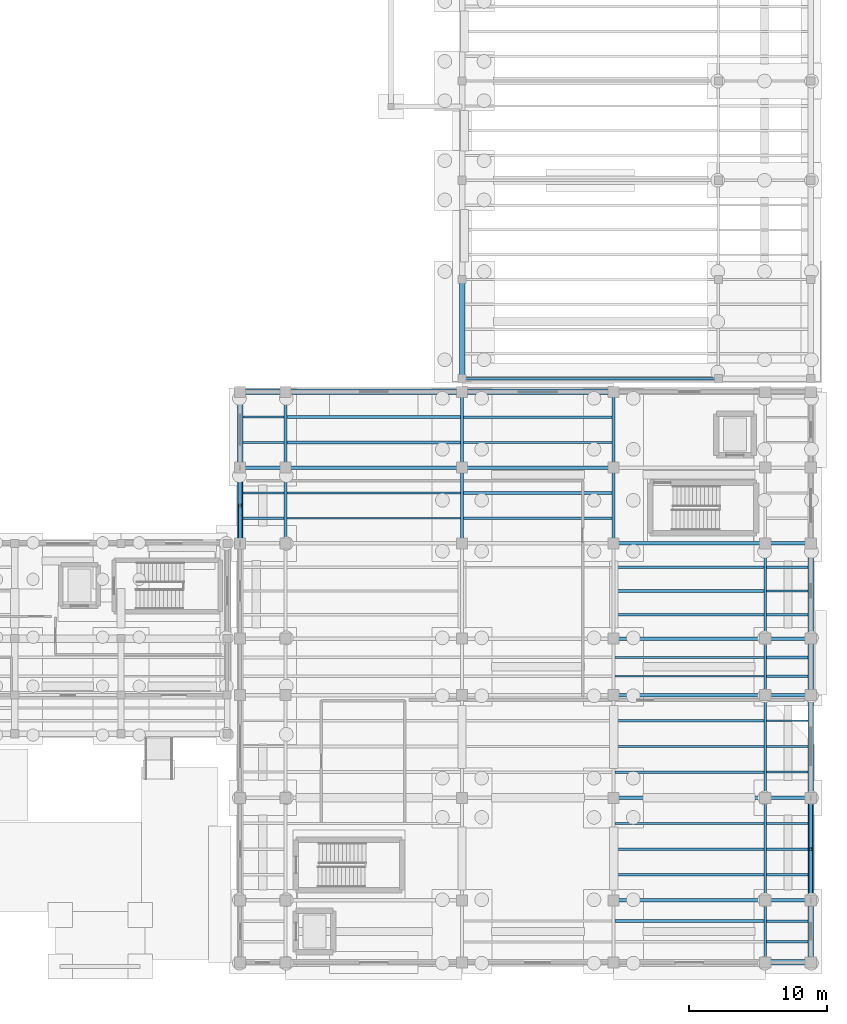
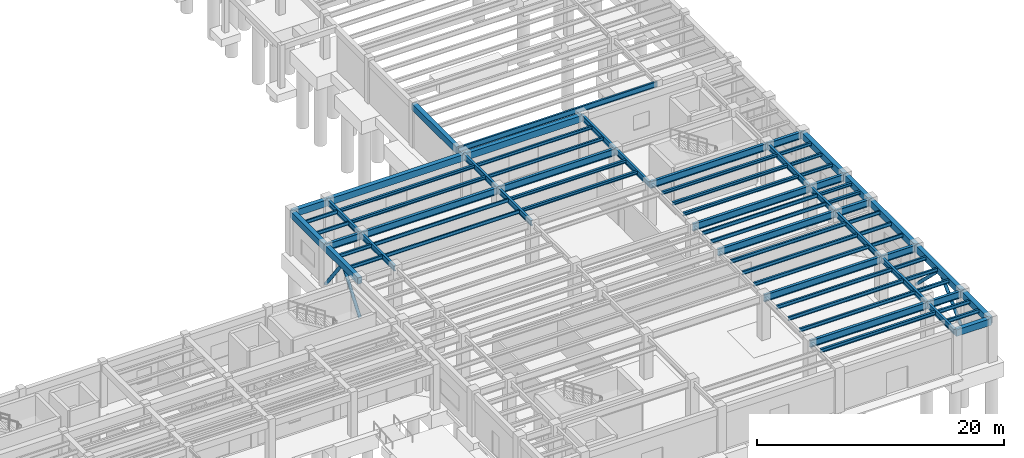
# One storey, part 15 of 41: 74 beams, 4 members.
"""IFC4 building model written with IfcOpenShell, lengths in metres."""

from ifc_helpers import new_model, si_unit, direction, frame, origin, origin_2d, place, context, subcontext, project, spatial, rectangle, hollow_circle, i_section, extrude, material, material_profile, profile_set, type_object, element, save


model = new_model("IFC4")

# Units and contexts
model_context = context("Model", 3, precision=1e-05, world=origin(), true_north=direction((0.0, 1.0)))
body_context = subcontext(model_context, "Body", "Model", "MODEL_VIEW")
ifc_project = project(units=[si_unit("LENGTHUNIT", "METRE"), si_unit("AREAUNIT", "SQUARE_METRE"), si_unit("VOLUMEUNIT", "CUBIC_METRE"), si_unit("PLANEANGLEUNIT", "RADIAN"), si_unit("MASSUNIT", "GRAM", prefix="KILO")], contexts=[model_context])

# Site, building, storey
site_placement = place(None, origin())
site = spatial("IfcSite", under=ifc_project, at=site_placement, CompositionType="ELEMENT")
building_placement = place(site_placement, origin())
building = spatial("IfcBuilding", under=site, at=building_placement, Name="Candilejo Ridge Gondola Terminal", CompositionType="ELEMENT")
storey_placement = place(building_placement, origin())
storey = spatial("IfcBuildingStorey", under=building, at=storey_placement, Name="L00", CompositionType="ELEMENT", Elevation=0.0)

# Beams
ifc_material_1 = material(Name="Steel ASTM A992 Grade 50", Category="steel")
ifc_material_profile_1 = material_profile(ifc_material_1, i_section(OverallWidth=0.2109375, OverallDepth=0.5390625, WebThickness=0.01171875, FlangeThickness=0.018798828125, at=origin_2d()))
ifc_profile_set_1 = profile_set([ifc_material_profile_1], Name="Steel ASTM A992 Grade 50")
beam_type_1 = type_object("IfcBeamType", Name="STR-BM-W530X109", PredefinedType="BEAM", material=ifc_profile_set_1)
for number, where, z_axis, x_axis, name in (
    (1, (137.199951171875, 36.699951171875, 3.945556640625), (0.0, 1.0, 0.0), (-1.0, 0.0, 0.0), "Beam Y V4 L00 Y07-Y08@X22"),
    (2, (137.199951171875, 42.199951171875, 3.945556640625), (0.0, 1.0, 0.0), (-1.0, 0.0, 0.0), "Beam Y V4 L00 Y08-Y09@X22"),
    (3, (150.0, 36.699951171875, 3.945556640625), (0.0, 1.0, 0.0), (-1.0, 0.0, 0.0), "Beam Y V4 L00 Y07-Y08@X23"),
    (4, (150.0, 42.199951171875, 3.945556640625), (0.0, 1.0, 0.0), (-1.0, 0.0, 0.0), "Beam Y V4 L00 Y08-Y09@X23"),
    (5, (161.0, 36.699951171875, 3.945556640625), (0.0, 1.0, 0.0), (-1.0, 0.0, 0.0), "Beam Y V4 L00 Y07-Y08@X24"),
    (6, (161.0, 42.199951171875, 3.945556640625), (0.0, 1.0, 0.0), (-1.0, 0.0, 0.0), "Beam Y V4 L00 Y08-Y09@X24"),
):
    element("IfcBeam", number, at=place(storey_placement, frame(where, z_axis=z_axis, x_axis=x_axis)), inside=storey, type_object=beam_type_1, Name=name, PredefinedType="BEAM", context=body_context, shape_type="SweptSolid", body=[
        extrude(i_section(OverallWidth=0.2109375, OverallDepth=0.5390625, WebThickness=0.01171875, FlangeThickness=0.018798828125, at=origin_2d()), origin(), (0.0, 0.0, 1.0), 5.5),
    ])
beam_1_placement = place(storey_placement, frame((172.0, 6.300048828125, 3.945556640625), z_axis=(0.0, 1.0, 0.0), x_axis=(-1.0, 0.0, 0.0)))
element("IfcBeam", 7, at=beam_1_placement, inside=storey, type_object=beam_type_1, Name="Beam Y V4 L00 Y01-Y02@X26", PredefinedType="BEAM", context=body_context, shape_type="SweptSolid", body=[
    extrude(i_section(OverallWidth=0.2109375, OverallDepth=0.5390625, WebThickness=0.01171875, FlangeThickness=0.018798828125, at=origin_2d()), origin(), (0.0, 0.0, 1.0), 4.5),
])
for number, where, z_axis, x_axis, name in (
    (8, (172.0, 10.800048828125, 3.945556640625), (0.0, 1.0, 0.0), (-1.0, 0.0, 0.0), "Beam Y V4 L00 Y02-Y03@X26"),
    (9, (172.0, 18.25, 3.945556640625), (0.0, 1.0, 0.0), (-1.0, 0.0, 0.0), "Beam Y V4 L00 Y03-Y05@X26"),
):
    element("IfcBeam", number, at=place(storey_placement, frame(where, z_axis=z_axis, x_axis=x_axis)), inside=storey, type_object=beam_type_1, Name=name, PredefinedType="BEAM", context=body_context, shape_type="SweptSolid", body=[
        extrude(i_section(OverallWidth=0.2109375, OverallDepth=0.5390625, WebThickness=0.01171875, FlangeThickness=0.018798828125, at=origin_2d()), origin(), (0.0, 0.0, 1.0), 7.449951171875),
    ])
beam_2_placement = place(storey_placement, frame((172.0, 25.699951171875, 3.945556640625), z_axis=(0.0, 1.0, 0.0), x_axis=(-1.0, 0.0, 0.0)))
element("IfcBeam", 10, at=beam_2_placement, inside=storey, type_object=beam_type_1, Name="Beam Y V4 L00 Y05-Y06@X26", PredefinedType="BEAM", context=body_context, shape_type="SweptSolid", body=[
    extrude(i_section(OverallWidth=0.2109375, OverallDepth=0.5390625, WebThickness=0.01171875, FlangeThickness=0.018798828125, at=origin_2d()), origin(), (0.0, 0.0, 1.0), 4.10009765625),
])
beam_3_placement = place(storey_placement, frame((172.0, 29.800048828125, 3.945556640625), z_axis=(0.0, 1.0, 0.0), x_axis=(-1.0, 0.0, 0.0)))
element("IfcBeam", 11, at=beam_3_placement, inside=storey, type_object=beam_type_1, Name="Beam Y V4 L00 Y06-Y07@X26", PredefinedType="BEAM", context=body_context, shape_type="SweptSolid", body=[
    extrude(i_section(OverallWidth=0.2109375, OverallDepth=0.5390625, WebThickness=0.01171875, FlangeThickness=0.018798828125, at=origin_2d()), origin(), (0.0, 0.0, 1.0), 6.89990234375),
])
ifc_material_2 = material(Name="Steel ASTM A992 Grade 50", Category="steel")
ifc_material_profile_2 = material_profile(ifc_material_2, i_section(OverallWidth=0.166015625, OverallDepth=0.529052734375, WebThickness=0.009765625, FlangeThickness=0.013671875, at=origin_2d()))
ifc_profile_set_2 = profile_set([ifc_material_profile_2], Name="Steel ASTM A992 Grade 50")
beam_type_2 = type_object("IfcBeamType", Name="STR-BM-W530X74", PredefinedType="BEAM", material=ifc_profile_set_2)
beam_4_placement = place(storey_placement, frame((150.0, 48.64990234375, 3.965576171875), z_axis=(1.0, 0.0, 0.0), x_axis=(0.0, 1.0, 0.0)))
element("IfcBeam", 12, at=beam_4_placement, inside=storey, type_object=beam_type_2, Name="Beam X V5 L00 X23-X25@Y10", PredefinedType="BEAM", context=body_context, shape_type="SweptSolid", body=[
    extrude(i_section(OverallWidth=0.166015625, OverallDepth=0.529052734375, WebThickness=0.009765625, FlangeThickness=0.013671875, at=origin_2d()), origin(), (0.0, 0.0, 1.0), 18.60009765625),
])
ifc_material_3 = material(Name="Steel ASTM A992 Grade 50", Category="steel")
ifc_material_profile_3 = material_profile(ifc_material_3, i_section(OverallWidth=0.25390625, OverallDepth=0.68408203125, WebThickness=0.012451171875, FlangeThickness=0.018798828125, at=origin_2d()))
ifc_profile_set_3 = profile_set([ifc_material_profile_3], Name="Steel ASTM A992 Grade 50")
beam_type_3 = type_object("IfcBeamType", Name="STR-BM-W690X140", PredefinedType="BEAM", material=ifc_profile_set_3)
beam_5_placement = place(storey_placement, frame((161.0, 10.800048828125, 3.873046875), z_axis=(1.0, 0.0, 0.0), x_axis=(0.0, 1.0, 0.0)))
element("IfcBeam", 13, at=beam_5_placement, inside=storey, type_object=beam_type_3, Name="Beam X V4 L00 X24-X26@Y02", PredefinedType="BEAM", context=body_context, shape_type="SweptSolid", body=[
    extrude(i_section(OverallWidth=0.25390625, OverallDepth=0.68408203125, WebThickness=0.012451171875, FlangeThickness=0.018798828125, at=origin_2d()), origin(), (0.0, 0.0, 1.0), 11.0),
])
beam_6_placement = place(storey_placement, frame((172.0, 10.800048828125, 3.873046875), z_axis=(1.0, 0.0, 0.0), x_axis=(0.0, 1.0, 0.0)))
element("IfcBeam", 14, at=beam_6_placement, inside=storey, type_object=beam_type_3, Name="Beam X V4 L00 X26-X27@Y02", PredefinedType="BEAM", context=body_context, shape_type="SweptSolid", body=[
    extrude(i_section(OverallWidth=0.25390625, OverallDepth=0.68408203125, WebThickness=0.012451171875, FlangeThickness=0.018798828125, at=origin_2d()), origin(), (0.0, 0.0, 1.0), 3.300048828125),
])
beam_7_placement = place(storey_placement, frame((161.0, 18.25, 3.873046875), z_axis=(1.0, 0.0, 0.0), x_axis=(0.0, 1.0, 0.0)))
element("IfcBeam", 15, at=beam_7_placement, inside=storey, type_object=beam_type_3, Name="Beam X V4 L00 X24-X26@Y03", PredefinedType="BEAM", context=body_context, shape_type="SweptSolid", body=[
    extrude(i_section(OverallWidth=0.25390625, OverallDepth=0.68408203125, WebThickness=0.012451171875, FlangeThickness=0.018798828125, at=origin_2d()), origin(), (0.0, 0.0, 1.0), 11.0),
])
beam_8_placement = place(storey_placement, frame((172.0, 18.25, 3.873046875), z_axis=(1.0, 0.0, 0.0), x_axis=(0.0, 1.0, 0.0)))
element("IfcBeam", 16, at=beam_8_placement, inside=storey, type_object=beam_type_3, Name="Beam X V4 L00 X26-X27@Y03", PredefinedType="BEAM", context=body_context, shape_type="SweptSolid", body=[
    extrude(i_section(OverallWidth=0.25390625, OverallDepth=0.68408203125, WebThickness=0.012451171875, FlangeThickness=0.018798828125, at=origin_2d()), origin(), (0.0, 0.0, 1.0), 3.300048828125),
])
beam_9_placement = place(storey_placement, frame((161.0, 25.699951171875, 3.873046875), z_axis=(1.0, 0.0, 0.0), x_axis=(0.0, 1.0, 0.0)))
element("IfcBeam", 17, at=beam_9_placement, inside=storey, type_object=beam_type_3, Name="Beam X V4 L00 X24-X26@Y05", PredefinedType="BEAM", context=body_context, shape_type="SweptSolid", body=[
    extrude(i_section(OverallWidth=0.25390625, OverallDepth=0.68408203125, WebThickness=0.012451171875, FlangeThickness=0.018798828125, at=origin_2d()), origin(), (0.0, 0.0, 1.0), 11.0),
])
beam_10_placement = place(storey_placement, frame((172.0, 25.699951171875, 3.873046875), z_axis=(1.0, 0.0, 0.0), x_axis=(0.0, 1.0, 0.0)))
element("IfcBeam", 18, at=beam_10_placement, inside=storey, type_object=beam_type_3, Name="Beam X V4 L00 X26-X27@Y05", PredefinedType="BEAM", context=body_context, shape_type="SweptSolid", body=[
    extrude(i_section(OverallWidth=0.25390625, OverallDepth=0.68408203125, WebThickness=0.012451171875, FlangeThickness=0.018798828125, at=origin_2d()), origin(), (0.0, 0.0, 1.0), 3.300048828125),
])
beam_11_placement = place(storey_placement, frame((161.0, 29.800048828125, 3.873046875), z_axis=(1.0, 0.0, 0.0), x_axis=(0.0, 1.0, 0.0)))
element("IfcBeam", 19, at=beam_11_placement, inside=storey, type_object=beam_type_3, Name="Beam X V4 L00 X24-X26@Y06", PredefinedType="BEAM", context=body_context, shape_type="SweptSolid", body=[
    extrude(i_section(OverallWidth=0.25390625, OverallDepth=0.68408203125, WebThickness=0.012451171875, FlangeThickness=0.018798828125, at=origin_2d()), origin(), (0.0, 0.0, 1.0), 11.0),
])
beam_12_placement = place(storey_placement, frame((172.0, 29.800048828125, 3.873046875), z_axis=(1.0, 0.0, 0.0), x_axis=(0.0, 1.0, 0.0)))
element("IfcBeam", 20, at=beam_12_placement, inside=storey, type_object=beam_type_3, Name="Beam X V4 L00 X26-X27@Y06", PredefinedType="BEAM", context=body_context, shape_type="SweptSolid", body=[
    extrude(i_section(OverallWidth=0.25390625, OverallDepth=0.68408203125, WebThickness=0.012451171875, FlangeThickness=0.018798828125, at=origin_2d()), origin(), (0.0, 0.0, 1.0), 3.300048828125),
])
beam_13_placement = place(storey_placement, frame((161.0, 36.699951171875, 3.873046875), z_axis=(1.0, 0.0, 0.0), x_axis=(0.0, 1.0, 0.0)))
element("IfcBeam", 21, at=beam_13_placement, inside=storey, type_object=beam_type_3, Name="Beam X V4 L00 X24-X26@Y07", PredefinedType="BEAM", context=body_context, shape_type="SweptSolid", body=[
    extrude(i_section(OverallWidth=0.25390625, OverallDepth=0.68408203125, WebThickness=0.012451171875, FlangeThickness=0.018798828125, at=origin_2d()), origin(), (0.0, 0.0, 1.0), 11.0),
])
for number, where, z_axis, x_axis, name in (
    (22, (172.0, 36.699951171875, 3.873046875), (1.0, 0.0, 0.0), (0.0, 1.0, 0.0), "Beam X V4 L00 X26-X27@Y07"),
    (23, (133.89990234375, 42.199951171875, 3.873046875), (1.0, 0.0, 0.0), (0.0, 1.0, 0.0), "Beam X V4 L00 X21-X22@Y08"),
):
    element("IfcBeam", number, at=place(storey_placement, frame(where, z_axis=z_axis, x_axis=x_axis)), inside=storey, type_object=beam_type_3, Name=name, PredefinedType="BEAM", context=body_context, shape_type="SweptSolid", body=[
        extrude(i_section(OverallWidth=0.25390625, OverallDepth=0.68408203125, WebThickness=0.012451171875, FlangeThickness=0.018798828125, at=origin_2d()), origin(), (0.0, 0.0, 1.0), 3.300048828125),
    ])
beam_14_placement = place(storey_placement, frame((137.199951171875, 42.199951171875, 3.873046875), z_axis=(1.0, 0.0, 0.0), x_axis=(0.0, 1.0, 0.0)))
element("IfcBeam", 24, at=beam_14_placement, inside=storey, type_object=beam_type_3, Name="Beam X V4 L00 X22-X23@Y08", PredefinedType="BEAM", context=body_context, shape_type="SweptSolid", body=[
    extrude(i_section(OverallWidth=0.25390625, OverallDepth=0.68408203125, WebThickness=0.012451171875, FlangeThickness=0.018798828125, at=origin_2d()), origin(), (0.0, 0.0, 1.0), 12.800048828125),
])
beam_15_placement = place(storey_placement, frame((150.0, 42.199951171875, 3.873046875), z_axis=(1.0, 0.0, 0.0), x_axis=(0.0, 1.0, 0.0)))
element("IfcBeam", 25, at=beam_15_placement, inside=storey, type_object=beam_type_3, Name="Beam X V4 L00 X23-X24@Y08", PredefinedType="BEAM", context=body_context, shape_type="SweptSolid", body=[
    extrude(i_section(OverallWidth=0.25390625, OverallDepth=0.68408203125, WebThickness=0.012451171875, FlangeThickness=0.018798828125, at=origin_2d()), origin(), (0.0, 0.0, 1.0), 11.0),
])

# Members
ifc_material_4 = material(Name="Steel ASTM A500 Grade C", Category="steel")
ifc_material_profile_4 = material_profile(ifc_material_4, hollow_circle(Radius=0.149169921875, WallThickness=0.009521484375, at=origin_2d()))
ifc_profile_set_4 = profile_set([ifc_material_profile_4], Name="Steel ASTM A500 Grade C")
member_type = type_object("IfcMemberType", Name="STR-BRC-CHS298", PredefinedType="BRACE", material=ifc_profile_set_4)
for number, where, z_axis, x_axis, name in (
    (26, (133.89990234375, 36.699951171875, 0.25), (0.0, 0.602813405043, 0.797882196004), (-1.0, 0.0, 0.0), "Chevron brace V4 L00-01A"),
    (27, (133.89990234375, 42.199951171875, 0.25), (0.0, -0.602813405043, 0.797882196004), (1.0, 0.0, 0.0), "Chevron brace V4 L00-01B"),
):
    element("IfcMember", number, at=place(storey_placement, frame(where, z_axis=z_axis, x_axis=x_axis)), inside=storey, type_object=member_type, Name=name, PredefinedType="BRACE", context=body_context, shape_type="SweptSolid", body=[
        extrude(hollow_circle(Radius=0.149169921875, WallThickness=0.009521484375, at=origin_2d()), origin(), (0.0, 0.0, 1.0), 4.56201171875),
    ])
member_1_placement = place(storey_placement, frame((175.300048828125, 10.800048828125, 0.25), z_axis=(0.0, 0.715216492735, 0.69890297504), x_axis=(-1.0, 0.0, 0.0)))
element("IfcMember", 28, at=member_1_placement, inside=storey, type_object=member_type, Name="Chevron brace V4 L00-04A", PredefinedType="BRACE", context=body_context, shape_type="SweptSolid", body=[
    extrude(hollow_circle(Radius=0.149169921875, WallThickness=0.009521484375, at=origin_2d()), origin(), (0.0, 0.0, 1.0), 5.2080078125),
])
member_2_placement = place(storey_placement, frame((175.300048828125, 18.25, 0.25), z_axis=(0.0, -0.715239389826, 0.698879542726), x_axis=(1.0, 0.0, 0.0)))
element("IfcMember", 29, at=member_2_placement, inside=storey, type_object=member_type, Name="Chevron brace V4 L00-04B", PredefinedType="BRACE", context=body_context, shape_type="SweptSolid", body=[
    extrude(hollow_circle(Radius=0.149169921875, WallThickness=0.009521484375, at=origin_2d()), origin(), (0.0, 0.0, 1.0), 5.208251953125),
])

# Beams
ifc_material_5 = material(Name="Steel ASTM A992 Grade 50", Category="steel")
ifc_material_profile_5 = material_profile(ifc_material_5, i_section(OverallWidth=0.166015625, OverallDepth=0.31298828125, WebThickness=0.006591796875, FlangeThickness=0.01123046875, at=origin_2d()))
ifc_profile_set_5 = profile_set([ifc_material_profile_5], Name="Steel ASTM A992 Grade 50")
beam_type_4 = type_object("IfcBeamType", Name="STR-JST-W310X44", PredefinedType="JOIST", material=ifc_profile_set_5)
for number, where, z_axis, x_axis, name in (
    (30, (150.10546875, 44.033203125, 4.05859375), (1.0, 0.0, 0.0), (0.0, 1.0, 0.0), "Composite joist V4 L00-0786"),
    (31, (150.10546875, 45.86669921875, 4.05859375), (1.0, 0.0, 0.0), (0.0, 1.0, 0.0), "Composite joist V4 L00-0787"),
):
    element("IfcBeam", number, at=place(storey_placement, frame(where, z_axis=z_axis, x_axis=x_axis)), inside=storey, type_object=beam_type_4, Name=name, PredefinedType="JOIST", context=body_context, shape_type="SweptSolid", body=[
        extrude(i_section(OverallWidth=0.166015625, OverallDepth=0.31298828125, WebThickness=0.006591796875, FlangeThickness=0.01123046875, at=origin_2d()), origin(), (0.0, 0.0, 1.0), 10.7890625),
    ])
for number, where, z_axis, x_axis, name in (
    (32, (172.10546875, 31.52490234375, 4.05859375), (1.0, 0.0, 0.0), (0.0, 1.0, 0.0), "Composite joist V4 L00-0811"),
    (33, (172.10546875, 33.25, 4.05859375), (1.0, 0.0, 0.0), (0.0, 1.0, 0.0), "Composite joist V4 L00-0812"),
    (34, (172.10546875, 34.97509765625, 4.05859375), (1.0, 0.0, 0.0), (0.0, 1.0, 0.0), "Composite joist V4 L00-0813"),
):
    element("IfcBeam", number, at=place(storey_placement, frame(where, z_axis=z_axis, x_axis=x_axis)), inside=storey, type_object=beam_type_4, Name=name, PredefinedType="JOIST", context=body_context, shape_type="SweptSolid", body=[
        extrude(i_section(OverallWidth=0.166015625, OverallDepth=0.31298828125, WebThickness=0.006591796875, FlangeThickness=0.01123046875, at=origin_2d()), origin(), (0.0, 0.0, 1.0), 2.99462890625),
    ])
ifc_material_6 = material(Name="Steel ASTM A992 Grade 50", Category="steel")
ifc_material_profile_6 = material_profile(ifc_material_6, i_section(OverallWidth=0.202880859375, OverallDepth=0.302978515625, WebThickness=0.007568359375, FlangeThickness=0.01318359375, at=origin_2d()))
ifc_profile_set_6 = profile_set([ifc_material_profile_6], Name="Steel ASTM A992 Grade 50")
beam_type_5 = type_object("IfcBeamType", Name="STR-JST-W310X60", PredefinedType="JOIST", material=ifc_profile_set_6)
for number, where, z_axis, x_axis, name in (
    (35, (137.305419921875, 44.033203125, 4.0634765625), (1.0, 0.0, 0.0), (0.0, 1.0, 0.0), "Composite joist V4 L00-0774"),
    (36, (137.305419921875, 45.86669921875, 4.0634765625), (1.0, 0.0, 0.0), (0.0, 1.0, 0.0), "Composite joist V4 L00-0775"),
):
    element("IfcBeam", number, at=place(storey_placement, frame(where, z_axis=z_axis, x_axis=x_axis)), inside=storey, type_object=beam_type_5, Name=name, PredefinedType="JOIST", context=body_context, shape_type="SweptSolid", body=[
        extrude(i_section(OverallWidth=0.202880859375, OverallDepth=0.302978515625, WebThickness=0.007568359375, FlangeThickness=0.01318359375, at=origin_2d()), origin(), (0.0, 0.0, 1.0), 12.589111328125),
    ])
for number, where, z_axis, x_axis, name in (
    (37, (150.10546875, 38.533203125, 4.0634765625), (1.0, 0.0, 0.0), (0.0, 1.0, 0.0), "Composite joist V4 L00-0784"),
    (38, (150.10546875, 40.36669921875, 4.0634765625), (1.0, 0.0, 0.0), (0.0, 1.0, 0.0), "Composite joist V4 L00-0785"),
    (39, (161.10546875, 31.52490234375, 4.0634765625), (1.0, 0.0, 0.0), (0.0, 1.0, 0.0), "Composite joist V4 L00-0798"),
    (40, (161.10546875, 33.25, 4.0634765625), (1.0, 0.0, 0.0), (0.0, 1.0, 0.0), "Composite joist V4 L00-0799"),
    (41, (161.10546875, 34.97509765625, 4.0634765625), (1.0, 0.0, 0.0), (0.0, 1.0, 0.0), "Composite joist V4 L00-0800"),
):
    element("IfcBeam", number, at=place(storey_placement, frame(where, z_axis=z_axis, x_axis=x_axis)), inside=storey, type_object=beam_type_5, Name=name, PredefinedType="JOIST", context=body_context, shape_type="SweptSolid", body=[
        extrude(i_section(OverallWidth=0.202880859375, OverallDepth=0.302978515625, WebThickness=0.007568359375, FlangeThickness=0.01318359375, at=origin_2d()), origin(), (0.0, 0.0, 1.0), 10.7890625),
    ])
for number, where, z_axis, x_axis, name in (
    (42, (172.10546875, 27.066650390625, 4.0634765625), (1.0, 0.0, 0.0), (0.0, 1.0, 0.0), "Composite joist V4 L00-0809"),
    (43, (172.10546875, 28.433349609375, 4.0634765625), (1.0, 0.0, 0.0), (0.0, 1.0, 0.0), "Composite joist V4 L00-0810"),
):
    element("IfcBeam", number, at=place(storey_placement, frame(where, z_axis=z_axis, x_axis=x_axis)), inside=storey, type_object=beam_type_5, Name=name, PredefinedType="JOIST", context=body_context, shape_type="SweptSolid", body=[
        extrude(i_section(OverallWidth=0.202880859375, OverallDepth=0.302978515625, WebThickness=0.007568359375, FlangeThickness=0.01318359375, at=origin_2d()), origin(), (0.0, 0.0, 1.0), 2.99462890625),
    ])
ifc_material_7 = material(Name="Steel ASTM A992 Grade 50", Category="steel")
ifc_material_profile_7 = material_profile(ifc_material_7, i_section(OverallWidth=0.1279296875, OverallDepth=0.35302734375, WebThickness=0.006591796875, FlangeThickness=0.0107421875, at=origin_2d()))
ifc_profile_set_7 = profile_set([ifc_material_profile_7], Name="Steel ASTM A992 Grade 50")
beam_type_6 = type_object("IfcBeamType", Name="STR-JST-W360X39", PredefinedType="JOIST", material=ifc_profile_set_7)
for number, where, z_axis, x_axis, name in (
    (44, (134.10009765625, 44.033203125, 4.03857421875), (1.0, 0.0, 0.0), (0.0, 1.0, 0.0), "Composite joist V4 L00-0761"),
    (45, (134.10009765625, 45.86669921875, 4.03857421875), (1.0, 0.0, 0.0), (0.0, 1.0, 0.0), "Composite joist V4 L00-0762"),
):
    element("IfcBeam", number, at=place(storey_placement, frame(where, z_axis=z_axis, x_axis=x_axis)), inside=storey, type_object=beam_type_6, Name=name, PredefinedType="JOIST", context=body_context, shape_type="SweptSolid", body=[
        extrude(i_section(OverallWidth=0.1279296875, OverallDepth=0.35302734375, WebThickness=0.006591796875, FlangeThickness=0.0107421875, at=origin_2d()), origin(), (0.0, 0.0, 1.0), 2.994384765625),
    ])
for number, where, z_axis, x_axis, name in (
    (46, (137.305419921875, 38.533203125, 4.03857421875), (1.0, 0.0, 0.0), (0.0, 1.0, 0.0), "Composite joist V4 L00-0772"),
    (47, (137.305419921875, 40.36669921875, 4.03857421875), (1.0, 0.0, 0.0), (0.0, 1.0, 0.0), "Composite joist V4 L00-0773"),
):
    element("IfcBeam", number, at=place(storey_placement, frame(where, z_axis=z_axis, x_axis=x_axis)), inside=storey, type_object=beam_type_6, Name=name, PredefinedType="JOIST", context=body_context, shape_type="SweptSolid", body=[
        extrude(i_section(OverallWidth=0.1279296875, OverallDepth=0.35302734375, WebThickness=0.006591796875, FlangeThickness=0.0107421875, at=origin_2d()), origin(), (0.0, 0.0, 1.0), 12.589111328125),
    ])
for number, where, z_axis, x_axis, name in (
    (48, (161.10546875, 27.066650390625, 4.03857421875), (1.0, 0.0, 0.0), (0.0, 1.0, 0.0), "Composite joist V4 L00-0796"),
    (49, (161.10546875, 28.433349609375, 4.03857421875), (1.0, 0.0, 0.0), (0.0, 1.0, 0.0), "Composite joist V4 L00-0797"),
):
    element("IfcBeam", number, at=place(storey_placement, frame(where, z_axis=z_axis, x_axis=x_axis)), inside=storey, type_object=beam_type_6, Name=name, PredefinedType="JOIST", context=body_context, shape_type="SweptSolid", body=[
        extrude(i_section(OverallWidth=0.1279296875, OverallDepth=0.35302734375, WebThickness=0.006591796875, FlangeThickness=0.0107421875, at=origin_2d()), origin(), (0.0, 0.0, 1.0), 10.7890625),
    ])
for number, where, z_axis, x_axis, name in (
    (50, (172.10546875, 20.112548828125, 4.03857421875), (1.0, 0.0, 0.0), (0.0, 1.0, 0.0), "Composite joist V4 L00-0806"),
    (51, (172.10546875, 21.97509765625, 4.03857421875), (1.0, 0.0, 0.0), (0.0, 1.0, 0.0), "Composite joist V4 L00-0807"),
    (52, (172.10546875, 23.83740234375, 4.03857421875), (1.0, 0.0, 0.0), (0.0, 1.0, 0.0), "Composite joist V4 L00-0808"),
):
    element("IfcBeam", number, at=place(storey_placement, frame(where, z_axis=z_axis, x_axis=x_axis)), inside=storey, type_object=beam_type_6, Name=name, PredefinedType="JOIST", context=body_context, shape_type="SweptSolid", body=[
        extrude(i_section(OverallWidth=0.1279296875, OverallDepth=0.35302734375, WebThickness=0.006591796875, FlangeThickness=0.0107421875, at=origin_2d()), origin(), (0.0, 0.0, 1.0), 2.99462890625),
    ])
ifc_material_8 = material(Name="Steel ASTM A992 Grade 50", Category="steel")
ifc_material_profile_8 = material_profile(ifc_material_8, i_section(OverallWidth=0.1708984375, OverallDepth=0.35205078125, WebThickness=0.0068359375, FlangeThickness=0.009765625, at=origin_2d()))
ifc_profile_set_8 = profile_set([ifc_material_profile_8], Name="Steel ASTM A992 Grade 50")
beam_type_7 = type_object("IfcBeamType", Name="STR-JST-W360X44", PredefinedType="JOIST", material=ifc_profile_set_8)
for number, where, z_axis, x_axis, name in (
    (53, (134.10009765625, 38.533203125, 4.0390625), (1.0, 0.0, 0.0), (0.0, 1.0, 0.0), "Composite joist V4 L00-0759"),
    (54, (134.10009765625, 40.36669921875, 4.0390625), (1.0, 0.0, 0.0), (0.0, 1.0, 0.0), "Composite joist V4 L00-0760"),
):
    element("IfcBeam", number, at=place(storey_placement, frame(where, z_axis=z_axis, x_axis=x_axis)), inside=storey, type_object=beam_type_7, Name=name, PredefinedType="JOIST", context=body_context, shape_type="SweptSolid", body=[
        extrude(i_section(OverallWidth=0.1708984375, OverallDepth=0.35205078125, WebThickness=0.0068359375, FlangeThickness=0.009765625, at=origin_2d()), origin(), (0.0, 0.0, 1.0), 2.994384765625),
    ])
for number, where, z_axis, x_axis, name in (
    (55, (161.10546875, 20.112548828125, 4.0390625), (1.0, 0.0, 0.0), (0.0, 1.0, 0.0), "Composite joist V4 L00-0793"),
    (56, (161.10546875, 21.97509765625, 4.0390625), (1.0, 0.0, 0.0), (0.0, 1.0, 0.0), "Composite joist V4 L00-0794"),
    (57, (161.10546875, 23.83740234375, 4.0390625), (1.0, 0.0, 0.0), (0.0, 1.0, 0.0), "Composite joist V4 L00-0795"),
):
    element("IfcBeam", number, at=place(storey_placement, frame(where, z_axis=z_axis, x_axis=x_axis)), inside=storey, type_object=beam_type_7, Name=name, PredefinedType="JOIST", context=body_context, shape_type="SweptSolid", body=[
        extrude(i_section(OverallWidth=0.1708984375, OverallDepth=0.35205078125, WebThickness=0.0068359375, FlangeThickness=0.009765625, at=origin_2d()), origin(), (0.0, 0.0, 1.0), 10.7890625),
    ])
for number, where, z_axis, x_axis, name in (
    (58, (172.10546875, 12.66259765625, 4.0390625), (1.0, 0.0, 0.0), (0.0, 1.0, 0.0), "Composite joist V4 L00-0803"),
    (59, (172.10546875, 14.52490234375, 4.0390625), (1.0, 0.0, 0.0), (0.0, 1.0, 0.0), "Composite joist V4 L00-0804"),
    (60, (172.10546875, 16.387451171875, 4.0390625), (1.0, 0.0, 0.0), (0.0, 1.0, 0.0), "Composite joist V4 L00-0805"),
):
    element("IfcBeam", number, at=place(storey_placement, frame(where, z_axis=z_axis, x_axis=x_axis)), inside=storey, type_object=beam_type_7, Name=name, PredefinedType="JOIST", context=body_context, shape_type="SweptSolid", body=[
        extrude(i_section(OverallWidth=0.1708984375, OverallDepth=0.35205078125, WebThickness=0.0068359375, FlangeThickness=0.009765625, at=origin_2d()), origin(), (0.0, 0.0, 1.0), 2.99462890625),
    ])
ifc_material_9 = material(Name="Steel ASTM A992 Grade 50", Category="steel")
ifc_material_profile_9 = material_profile(ifc_material_9, i_section(OverallWidth=0.1708984375, OverallDepth=0.35498046875, WebThickness=0.007080078125, FlangeThickness=0.01171875, at=origin_2d()))
ifc_profile_set_9 = profile_set([ifc_material_profile_9], Name="Steel ASTM A992 Grade 50")
beam_type_8 = type_object("IfcBeamType", Name="STR-JST-W360X51", PredefinedType="JOIST", material=ifc_profile_set_9)
for number, where, z_axis, x_axis, name in (
    (61, (161.10546875, 12.66259765625, 4.03759765625), (1.0, 0.0, 0.0), (0.0, 1.0, 0.0), "Composite joist V4 L00-0790"),
    (62, (161.10546875, 14.52490234375, 4.03759765625), (1.0, 0.0, 0.0), (0.0, 1.0, 0.0), "Composite joist V4 L00-0791"),
    (63, (161.10546875, 16.387451171875, 4.03759765625), (1.0, 0.0, 0.0), (0.0, 1.0, 0.0), "Composite joist V4 L00-0792"),
):
    element("IfcBeam", number, at=place(storey_placement, frame(where, z_axis=z_axis, x_axis=x_axis)), inside=storey, type_object=beam_type_8, Name=name, PredefinedType="JOIST", context=body_context, shape_type="SweptSolid", body=[
        extrude(i_section(OverallWidth=0.1708984375, OverallDepth=0.35498046875, WebThickness=0.007080078125, FlangeThickness=0.01171875, at=origin_2d()), origin(), (0.0, 0.0, 1.0), 10.7890625),
    ])
for number, where, z_axis, x_axis, name in (
    (64, (172.10546875, 7.800048828125, 4.03759765625), (1.0, 0.0, 0.0), (0.0, 1.0, 0.0), "Composite joist V4 L00-0801"),
    (65, (172.10546875, 9.300048828125, 4.03759765625), (1.0, 0.0, 0.0), (0.0, 1.0, 0.0), "Composite joist V4 L00-0802"),
):
    element("IfcBeam", number, at=place(storey_placement, frame(where, z_axis=z_axis, x_axis=x_axis)), inside=storey, type_object=beam_type_8, Name=name, PredefinedType="JOIST", context=body_context, shape_type="SweptSolid", body=[
        extrude(i_section(OverallWidth=0.1708984375, OverallDepth=0.35498046875, WebThickness=0.007080078125, FlangeThickness=0.01171875, at=origin_2d()), origin(), (0.0, 0.0, 1.0), 2.99462890625),
    ])
ifc_material_10 = material(Name="Steel ASTM A992 Grade 50", Category="steel")
ifc_material_profile_10 = material_profile(ifc_material_10, i_section(OverallWidth=0.205078125, OverallDepth=0.35400390625, WebThickness=0.009521484375, FlangeThickness=0.016845703125, at=origin_2d()))
ifc_profile_set_10 = profile_set([ifc_material_profile_10], Name="Steel ASTM A992 Grade 50")
beam_type_9 = type_object("IfcBeamType", Name="STR-JST-W360X79", PredefinedType="JOIST", material=ifc_profile_set_10)
beam_16_placement = place(storey_placement, frame((161.10546875, 9.300048828125, 4.0380859375), z_axis=(1.0, 0.0, 0.0), x_axis=(0.0, 1.0, 0.0)))
element("IfcBeam", 66, at=beam_16_placement, inside=storey, type_object=beam_type_9, Name="Composite joist V4 L00-0789", PredefinedType="JOIST", context=body_context, shape_type="SweptSolid", body=[
    extrude(i_section(OverallWidth=0.205078125, OverallDepth=0.35400390625, WebThickness=0.009521484375, FlangeThickness=0.016845703125, at=origin_2d()), origin(), (0.0, 0.0, 1.0), 10.7890625),
])
ifc_material_11 = material(Name="Concrete f'c 35 MPa (C35/45)", Category="concrete")
ifc_material_profile_11 = material_profile(ifc_material_11, rectangle(XDim=0.39990234375, YDim=0.64990234375, at=origin_2d()))
ifc_profile_set_11 = profile_set([ifc_material_profile_11], Name="Concrete f'c 35 MPa (C35/45)")
beam_type_10 = type_object("IfcBeamType", Name="STR-SPN-RC400X650", PredefinedType="SPANDREL", material=ifc_profile_set_11)
for number, where, z_axis, x_axis, name in (
    (67, (172.0, 6.300048828125, 3.889892578125), (1.0, 0.0, 0.0), (0.0, 1.0, 0.0), "Beam X V4 L00 X26-X27@Y01"),
    (68, (133.89990234375, 47.699951171875, 3.889892578125), (1.0, 0.0, 0.0), (0.0, 1.0, 0.0), "Beam X V4 L00 X21-X22@Y09"),
):
    element("IfcBeam", number, at=place(storey_placement, frame(where, z_axis=z_axis, x_axis=x_axis)), inside=storey, type_object=beam_type_10, Name=name, PredefinedType="SPANDREL", context=body_context, shape_type="SweptSolid", body=[
        extrude(rectangle(XDim=0.39990234375, YDim=0.64990234375, at=origin_2d()), origin(), (0.0, 0.0, 1.0), 3.300048828125),
    ])
beam_17_placement = place(storey_placement, frame((137.199951171875, 47.699951171875, 3.889892578125), z_axis=(1.0, 0.0, 0.0), x_axis=(0.0, 1.0, 0.0)))
element("IfcBeam", 69, at=beam_17_placement, inside=storey, type_object=beam_type_10, Name="Beam X V4 L00 X22-X23@Y09", PredefinedType="SPANDREL", context=body_context, shape_type="SweptSolid", body=[
    extrude(rectangle(XDim=0.39990234375, YDim=0.64990234375, at=origin_2d()), origin(), (0.0, 0.0, 1.0), 12.800048828125),
])
beam_18_placement = place(storey_placement, frame((150.0, 47.699951171875, 3.889892578125), z_axis=(1.0, 0.0, 0.0), x_axis=(0.0, 1.0, 0.0)))
element("IfcBeam", 70, at=beam_18_placement, inside=storey, type_object=beam_type_10, Name="Beam X V4 L00 X23-X24@Y09", PredefinedType="SPANDREL", context=body_context, shape_type="SweptSolid", body=[
    extrude(rectangle(XDim=0.39990234375, YDim=0.64990234375, at=origin_2d()), origin(), (0.0, 0.0, 1.0), 11.0),
])
for number, where, z_axis, x_axis, name in (
    (71, (133.89990234375, 36.699951171875, 3.889892578125), (0.0, 1.0, 0.0), (-1.0, 0.0, 0.0), "Beam Y V4 L00 Y07-Y08@X21"),
    (72, (133.89990234375, 42.199951171875, 3.889892578125), (0.0, 1.0, 0.0), (-1.0, 0.0, 0.0), "Beam Y V4 L00 Y08-Y09@X21"),
):
    element("IfcBeam", number, at=place(storey_placement, frame(where, z_axis=z_axis, x_axis=x_axis)), inside=storey, type_object=beam_type_10, Name=name, PredefinedType="SPANDREL", context=body_context, shape_type="SweptSolid", body=[
        extrude(rectangle(XDim=0.39990234375, YDim=0.64990234375, at=origin_2d()), origin(), (0.0, 0.0, 1.0), 5.5),
    ])
beam_19_placement = place(storey_placement, frame((175.300048828125, 6.300048828125, 3.889892578125), z_axis=(0.0, 1.0, 0.0), x_axis=(-1.0, 0.0, 0.0)))
element("IfcBeam", 73, at=beam_19_placement, inside=storey, type_object=beam_type_10, Name="Beam Y V4 L00 Y01-Y02@X27", PredefinedType="SPANDREL", context=body_context, shape_type="SweptSolid", body=[
    extrude(rectangle(XDim=0.39990234375, YDim=0.64990234375, at=origin_2d()), origin(), (0.0, 0.0, 1.0), 4.5),
])
for number, where, z_axis, x_axis, name in (
    (74, (175.300048828125, 10.800048828125, 3.889892578125), (0.0, 1.0, 0.0), (-1.0, 0.0, 0.0), "Beam Y V4 L00 Y02-Y03@X27"),
    (75, (175.300048828125, 18.25, 3.889892578125), (0.0, 1.0, 0.0), (-1.0, 0.0, 0.0), "Beam Y V4 L00 Y03-Y05@X27"),
):
    element("IfcBeam", number, at=place(storey_placement, frame(where, z_axis=z_axis, x_axis=x_axis)), inside=storey, type_object=beam_type_10, Name=name, PredefinedType="SPANDREL", context=body_context, shape_type="SweptSolid", body=[
        extrude(rectangle(XDim=0.39990234375, YDim=0.64990234375, at=origin_2d()), origin(), (0.0, 0.0, 1.0), 7.449951171875),
    ])
beam_20_placement = place(storey_placement, frame((175.300048828125, 25.699951171875, 3.889892578125), z_axis=(0.0, 1.0, 0.0), x_axis=(-1.0, 0.0, 0.0)))
element("IfcBeam", 76, at=beam_20_placement, inside=storey, type_object=beam_type_10, Name="Beam Y V4 L00 Y05-Y06@X27", PredefinedType="SPANDREL", context=body_context, shape_type="SweptSolid", body=[
    extrude(rectangle(XDim=0.39990234375, YDim=0.64990234375, at=origin_2d()), origin(), (0.0, 0.0, 1.0), 4.10009765625),
])
beam_21_placement = place(storey_placement, frame((175.300048828125, 29.800048828125, 3.889892578125), z_axis=(0.0, 1.0, 0.0), x_axis=(-1.0, 0.0, 0.0)))
element("IfcBeam", 77, at=beam_21_placement, inside=storey, type_object=beam_type_10, Name="Beam Y V4 L00 Y06-Y07@X27", PredefinedType="SPANDREL", context=body_context, shape_type="SweptSolid", body=[
    extrude(rectangle(XDim=0.39990234375, YDim=0.64990234375, at=origin_2d()), origin(), (0.0, 0.0, 1.0), 6.89990234375),
])
beam_22_placement = place(storey_placement, frame((150.0, 48.64990234375, 3.905029296875), z_axis=(0.0, 1.0, 0.0), x_axis=(-1.0, 0.0, 0.0)))
element("IfcBeam", 78, at=beam_22_placement, inside=storey, type_object=beam_type_10, Name="Beam Y V5 L00 Y10-Y11@X23", PredefinedType="SPANDREL", context=body_context, shape_type="SweptSolid", body=[
    extrude(rectangle(XDim=0.39990234375, YDim=0.64990234375, at=origin_2d()), origin(), (0.0, 0.0, 1.0), 7.2001953125),
])

save(model, "model.ifc")
